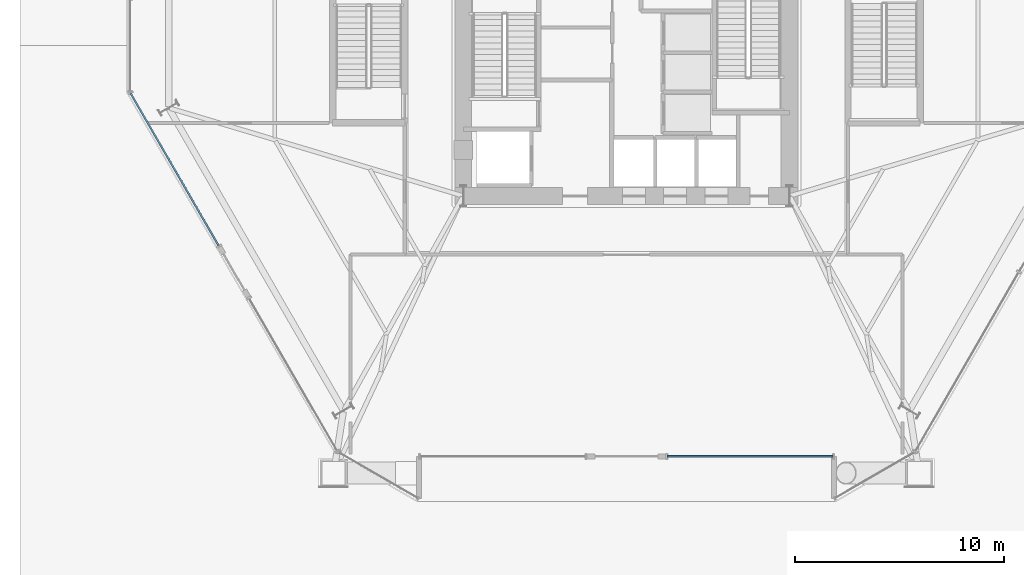
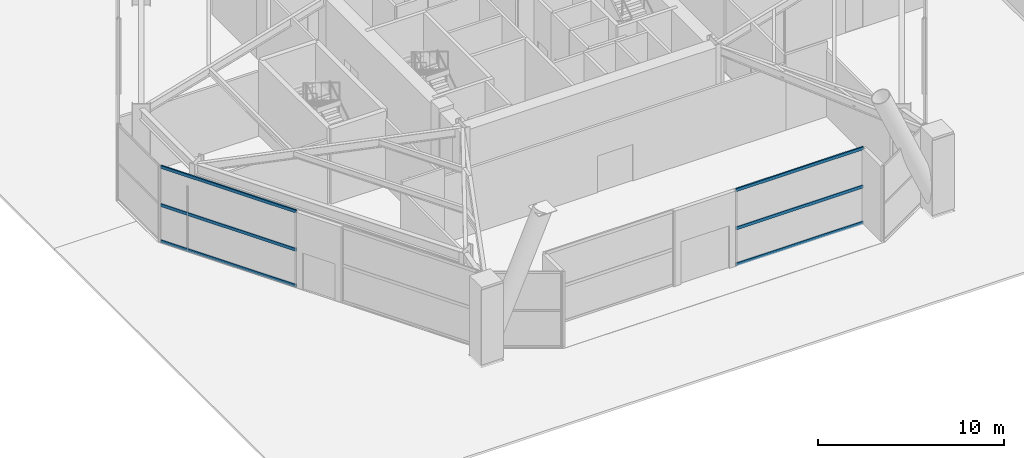
# One storey, part 6 of 26: 6 members, 2 elements without a shape of their own.
"""IFC4 building model written with IfcOpenShell, lengths in metres."""

from ifc_helpers import new_model, si_unit, direction, frame, origin, origin_2d, place, context, subcontext, project, spatial, rectangle, extrude, material, layer, layer_set, material_profile, profile_set, type_object, element, aggregate, save


model = new_model("IFC4")

# Units and contexts
model_context = context("Model", 3, precision=1e-05, world=origin(), true_north=direction((0.0, 1.0)))
body_context = subcontext(model_context, "Body", "Model", "MODEL_VIEW")
ifc_project = project(units=[si_unit("LENGTHUNIT", "METRE"), si_unit("AREAUNIT", "SQUARE_METRE"), si_unit("VOLUMEUNIT", "CUBIC_METRE"), si_unit("PLANEANGLEUNIT", "RADIAN"), si_unit("MASSUNIT", "GRAM", prefix="KILO")], contexts=[model_context])

# Site, building, storey
site_placement = place(None, origin())
site = spatial("IfcSite", under=ifc_project, at=site_placement, CompositionType="ELEMENT")
building_placement = place(site_placement, origin())
building = spatial("IfcBuilding", under=site, at=building_placement, Name="Kranzbogen Civic Tower", CompositionType="ELEMENT")
storey_placement = place(building_placement, origin())
storey = spatial("IfcBuildingStorey", under=building, at=storey_placement, Name="L00", CompositionType="ELEMENT", Elevation=0.0)

# Curtain wall, members
ifc_material = material(Name="Pale Anodised Aluminium", Category="aluminium")
ifc_layer = layer(ifc_material, 0.219970703125, Name="Pale Anodised Aluminium")
ifc_layer_set = layer_set([ifc_layer], Name="Pale Anodised Aluminium")
curtain_wall_type = type_object("IfcCurtainWallType", Name="Podium Stick Curtain Wall System CW-01", PredefinedType="USERDEFINED", material=ifc_layer_set)
curtain_wall_1_placement = place(storey_placement, origin())
curtain_wall_1 = element("IfcCurtainWall", 1, at=curtain_wall_1_placement, inside=storey, type_object=curtain_wall_type, Name="L00 curtain wall CW-L00-F4-S1", ObjectType="STICK CURTAIN WALL", PredefinedType="USERDEFINED")
ifc_material_profile = material_profile(ifc_material, rectangle(XDim=0.0849609375, YDim=0.195068359375, at=origin_2d()), Name="ALU-T 85x195")
ifc_profile_set = profile_set([ifc_material_profile], Name="Pale Anodised Aluminium")
member_type = type_object("IfcMemberType", Name="Curtain Wall Transom ALU-T 85x195", PredefinedType="USERDEFINED", material=ifc_profile_set)
member_1_placement = place(storey_placement, frame((1.2958984375, 22.7109375, 0.030029296875), z_axis=(0.500023168854, -0.866012026827, 0.0), x_axis=(0.866012026827, 0.500023168854, 0.0)))
member_1 = element("IfcMember", 2, at=member_1_placement, type_object=member_type, Name="CW-01 transom 1.1", ObjectType="TRANSOM", PredefinedType="USERDEFINED", context=body_context, shape_type="SweptSolid", body=[
    extrude(rectangle(XDim=0.0849609375, YDim=0.195068359375, at=origin_2d()), origin(), (0.0, 0.0, 1.0), 8.40966796875),
])
member_2_placement = place(storey_placement, frame((1.2958984375, 22.7109375, 2.39990234375), z_axis=(0.500023168854, -0.866012026827, 0.0), x_axis=(0.866012026827, 0.500023168854, 0.0)))
member_2 = element("IfcMember", 3, at=member_2_placement, type_object=member_type, Name="CW-01 transom 1.2", ObjectType="TRANSOM", PredefinedType="USERDEFINED", context=body_context, shape_type="SweptSolid", body=[
    extrude(rectangle(XDim=0.0849609375, YDim=0.195068359375, at=origin_2d()), origin(), (0.0, 0.0, 1.0), 8.40966796875),
])
member_3_placement = place(storey_placement, frame((1.2958984375, 22.7109375, 4.909912109375), z_axis=(0.500023168854, -0.866012026827, 0.0), x_axis=(0.866012026827, 0.500023168854, 0.0)))
member_3 = element("IfcMember", 4, at=member_3_placement, type_object=member_type, Name="CW-01 transom 1.3", ObjectType="TRANSOM", PredefinedType="USERDEFINED", context=body_context, shape_type="SweptSolid", body=[
    extrude(rectangle(XDim=0.0849609375, YDim=0.195068359375, at=origin_2d()), origin(), (0.0, 0.0, 1.0), 8.40966796875),
])
aggregate(curtain_wall_1, [member_1, member_2, member_3])

curtain_wall_2_placement = place(storey_placement, origin())
curtain_wall_2 = element("IfcCurtainWall", 5, at=curtain_wall_2_placement, inside=storey, type_object=curtain_wall_type, Name="L00 curtain wall CW-L00-F5-S2", ObjectType="STICK CURTAIN WALL", PredefinedType="USERDEFINED")
member_4_placement = place(storey_placement, frame((26.9599609375, 5.35009765625, 0.030029296875), z_axis=(1.0, 0.0, 0.0), x_axis=(0.0, 1.0, 0.0)))
member_4 = element("IfcMember", 6, at=member_4_placement, type_object=member_type, Name="CW-01 transom 1.1", ObjectType="TRANSOM", PredefinedType="USERDEFINED", context=body_context, shape_type="SweptSolid", body=[
    extrude(rectangle(XDim=0.0849609375, YDim=0.195068359375, at=origin_2d()), origin(), (0.0, 0.0, 1.0), 7.91015625),
])
member_5_placement = place(storey_placement, frame((26.9599609375, 5.35009765625, 2.39990234375), z_axis=(1.0, 0.0, 0.0), x_axis=(0.0, 1.0, 0.0)))
member_5 = element("IfcMember", 7, at=member_5_placement, type_object=member_type, Name="CW-01 transom 1.2", ObjectType="TRANSOM", PredefinedType="USERDEFINED", context=body_context, shape_type="SweptSolid", body=[
    extrude(rectangle(XDim=0.0849609375, YDim=0.195068359375, at=origin_2d()), origin(), (0.0, 0.0, 1.0), 7.91015625),
])
member_6_placement = place(storey_placement, frame((26.9599609375, 5.35009765625, 4.909912109375), z_axis=(1.0, 0.0, 0.0), x_axis=(0.0, 1.0, 0.0)))
member_6 = element("IfcMember", 8, at=member_6_placement, type_object=member_type, Name="CW-01 transom 1.3", ObjectType="TRANSOM", PredefinedType="USERDEFINED", context=body_context, shape_type="SweptSolid", body=[
    extrude(rectangle(XDim=0.0849609375, YDim=0.195068359375, at=origin_2d()), origin(), (0.0, 0.0, 1.0), 7.91015625),
])
aggregate(curtain_wall_2, [member_4, member_5, member_6])

save(model, "model.ifc")
